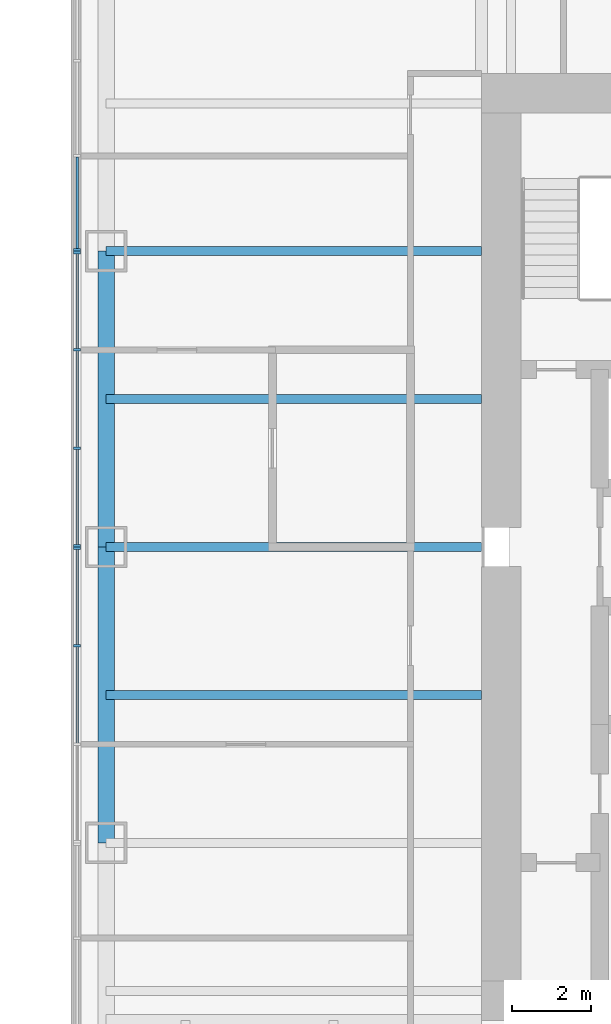
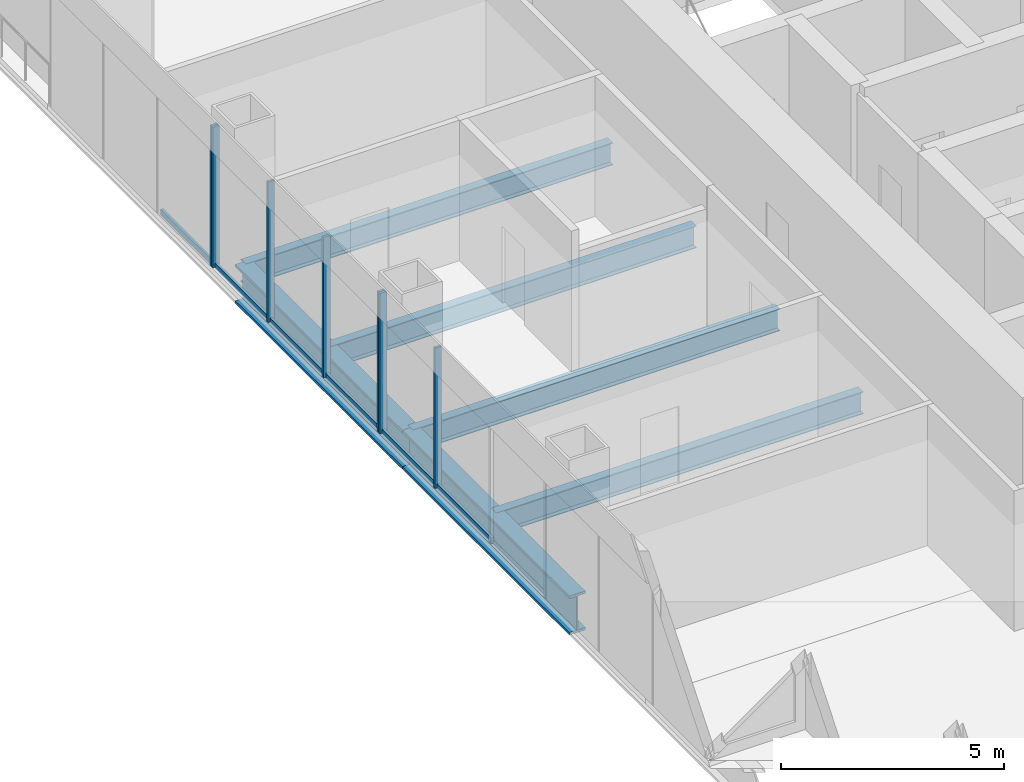
# One storey, part 3 of 13: 13 members, 6 beams, 3 elements without a shape of their own.
"""IFC4 building model written with IfcOpenShell, lengths in metres."""

from ifc_helpers import new_model, si_unit, direction, frame, origin, origin_2d, place, context, subcontext, project, spatial, rectangle, i_section, extrude, material, material_profile, profile_set, type_object, element, aggregate, save


model = new_model("IFC4")

# Units and contexts
model_context = context("Model", 3, precision=1e-05, world=origin(), true_north=direction((0.0, 1.0)))
body_context = subcontext(model_context, "Body", "Model", "MODEL_VIEW")
ifc_project = project(units=[si_unit("LENGTHUNIT", "METRE"), si_unit("AREAUNIT", "SQUARE_METRE"), si_unit("VOLUMEUNIT", "CUBIC_METRE"), si_unit("PLANEANGLEUNIT", "RADIAN"), si_unit("MASSUNIT", "GRAM", prefix="KILO")], contexts=[model_context])

# Site, building, storey
site_placement = place(None, origin())
site = spatial("IfcSite", under=ifc_project, at=site_placement, CompositionType="ELEMENT")
building_placement = place(site_placement, origin())
building = spatial("IfcBuilding", under=site, at=building_placement, Name="Tarangal Relay Tower", CompositionType="ELEMENT")
storey_placement = place(building_placement, frame((0.0, 0.0, 185.89990234375)))
storey = spatial("IfcBuildingStorey", under=building, at=storey_placement, Name="L38", CompositionType="ELEMENT", Elevation=185.89990234375)

# Beams
ifc_material_1 = material(Name="Steel ASTM A992", Category="steel")
ifc_material_profile_1 = material_profile(ifc_material_1, i_section(OverallWidth=0.41650390625, OverallDepth=1.0693359375, WebThickness=0.0390625, FlangeThickness=0.070068359375, at=origin_2d()), Name="W40X503")
ifc_profile_set_1 = profile_set([ifc_material_profile_1], Name="Steel ASTM A992")
beam_type_1 = type_object("IfcBeamType", Name="Edge girder W40X503", PredefinedType="SPANDREL", material=ifc_profile_set_1)
for number, where, z_axis, x_axis, name in (
    (1, (-21.514892578125, -7.5, -0.6845703125), (0.0, 1.0, 0.0), (-1.0, 0.0, 0.0), "Edge girder EG8 W L38"),
    (2, (-21.514892578125, 0.0, -0.6845703125), (0.0, 1.0, 0.0), (-1.0, 0.0, 0.0), "Edge girder EG8 W L38"),
):
    element("IfcBeam", number, at=place(storey_placement, frame(where, z_axis=z_axis, x_axis=x_axis)), inside=storey, type_object=beam_type_1, Name=name, PredefinedType="SPANDREL", context=body_context, shape_type="SweptSolid", body=[
        extrude(i_section(OverallWidth=0.41650390625, OverallDepth=1.0693359375, WebThickness=0.0390625, FlangeThickness=0.070068359375, at=origin_2d()), origin(), (0.0, 0.0, 1.0), 7.5),
    ])
ifc_material_profile_2 = material_profile(ifc_material_1, i_section(OverallWidth=0.22900390625, OverallDepth=0.612060546875, WebThickness=0.011962890625, FlangeThickness=0.01953125, at=origin_2d()), Name="W24X84")
ifc_profile_set_2 = profile_set([ifc_material_profile_2], Name="Steel ASTM A992")
beam_type_2 = type_object("IfcBeamType", Name="Floor beam W24X84", PredefinedType="BEAM", material=ifc_profile_set_2)
for number, where, z_axis, x_axis, name in (
    (3, (-12.0, -3.75, -0.455810546875), (-1.0, 0.0, 0.0), (0.0, -1.0, 0.0), "Floor beam RB12 W L38"),
    (4, (-12.0, 0.0, -0.455810546875), (-1.0, 0.0, 0.0), (0.0, -1.0, 0.0), "Floor beam RB12 W L38"),
    (5, (-12.0, 3.75, -0.455810546875), (-1.0, 0.0, 0.0), (0.0, -1.0, 0.0), "Floor beam RB12 W L38"),
    (6, (-12.0, 7.5, -0.455810546875), (-1.0, 0.0, 0.0), (0.0, -1.0, 0.0), "Floor beam RB12 W L38"),
):
    element("IfcBeam", number, at=place(storey_placement, frame(where, z_axis=z_axis, x_axis=x_axis)), inside=storey, type_object=beam_type_2, Name=name, PredefinedType="BEAM", context=body_context, shape_type="SweptSolid", body=[
        extrude(i_section(OverallWidth=0.22900390625, OverallDepth=0.612060546875, WebThickness=0.011962890625, FlangeThickness=0.01953125, at=origin_2d()), origin(), (0.0, 0.0, 1.0), 9.514892578125),
    ])

# Curtain wall, members
ifc_material_2 = material(Name="Unitised curtain wall, dark glass and black aluminium", Category="aluminium")
curtain_wall_type_1 = type_object("IfcCurtainWallType", Name="Curtain wall CW-A", PredefinedType="USERDEFINED", material=ifc_material_2)
curtain_wall_1_placement = place(storey_placement, origin())
curtain_wall_1 = element("IfcCurtainWall", 7, at=curtain_wall_1_placement, inside=storey, type_object=curtain_wall_type_1, Name="Curtain wall CW-A W facade L38", ObjectType="UNITISED CURTAIN WALL", PredefinedType="USERDEFINED")
ifc_material_3 = material(Name="Black anodised aluminium mullion", Category="aluminium")
ifc_material_profile_3 = material_profile(ifc_material_3, rectangle(XDim=0.175048828125, YDim=0.06494140625, at=origin_2d()), Name="CW-AM 65X175")
ifc_profile_set_3 = profile_set([ifc_material_profile_3], Name="Black anodised aluminium mullion")
member_type_1 = type_object("IfcMemberType", Name="Mullion CW-A 65 x 175", PredefinedType="MULLION", material=ifc_profile_set_3)
member_1_placement = place(storey_placement, frame((-22.25, -2.5, 0.0), z_axis=(0.0, 0.0, 1.0), x_axis=(-1.0, 0.0, 0.0)))
member_1 = element("IfcMember", 8, at=member_1_placement, type_object=member_type_1, Name="CW-A mullion 3", PredefinedType="MULLION", context=body_context, shape_type="SweptSolid", body=[
    extrude(rectangle(XDim=0.175048828125, YDim=0.06494140625, at=origin_2d()), origin(), (0.0, 0.0, 1.0), 3.85009765625),
])
member_2_placement = place(storey_placement, frame((-22.25, -0.032470703125, 0.0), z_axis=(0.0, 0.0, 1.0), x_axis=(-1.0, 0.0, 0.0)))
member_2 = element("IfcMember", 9, at=member_2_placement, type_object=member_type_1, Name="CW-A mullion 4", PredefinedType="MULLION", context=body_context, shape_type="SweptSolid", body=[
    extrude(rectangle(XDim=0.175048828125, YDim=0.06494140625, at=origin_2d()), origin(), (0.0, 0.0, 1.0), 3.85009765625),
])

curtain_wall_2_placement = place(storey_placement, origin())
curtain_wall_2 = element("IfcCurtainWall", 10, at=curtain_wall_2_placement, inside=storey, type_object=curtain_wall_type_1, Name="Curtain wall CW-A W facade L38", ObjectType="UNITISED CURTAIN WALL", PredefinedType="USERDEFINED")
member_3_placement = place(storey_placement, frame((-22.25, 0.032470703125, 0.0), z_axis=(0.0, 0.0, 1.0), x_axis=(-1.0, 0.0, 0.0)))
member_3 = element("IfcMember", 11, at=member_3_placement, type_object=member_type_1, Name="CW-A mullion 1", PredefinedType="MULLION", context=body_context, shape_type="SweptSolid", body=[
    extrude(rectangle(XDim=0.175048828125, YDim=0.06494140625, at=origin_2d()), origin(), (0.0, 0.0, 1.0), 3.85009765625),
])
member_4_placement = place(storey_placement, frame((-22.25, 2.5, 0.0), z_axis=(0.0, 0.0, 1.0), x_axis=(-1.0, 0.0, 0.0)))
member_4 = element("IfcMember", 12, at=member_4_placement, type_object=member_type_1, Name="CW-A mullion 2", PredefinedType="MULLION", context=body_context, shape_type="SweptSolid", body=[
    extrude(rectangle(XDim=0.175048828125, YDim=0.06494140625, at=origin_2d()), origin(), (0.0, 0.0, 1.0), 3.85009765625),
])
member_5_placement = place(storey_placement, frame((-22.25, 5.0, 0.0), z_axis=(0.0, 0.0, 1.0), x_axis=(-1.0, 0.0, 0.0)))
member_5 = element("IfcMember", 13, at=member_5_placement, type_object=member_type_1, Name="CW-A mullion 3", PredefinedType="MULLION", context=body_context, shape_type="SweptSolid", body=[
    extrude(rectangle(XDim=0.175048828125, YDim=0.06494140625, at=origin_2d()), origin(), (0.0, 0.0, 1.0), 3.85009765625),
])
member_6_placement = place(storey_placement, frame((-22.25, 7.467529296875, 0.0), z_axis=(0.0, 0.0, 1.0), x_axis=(-1.0, 0.0, 0.0)))
member_6 = element("IfcMember", 14, at=member_6_placement, type_object=member_type_1, Name="CW-A mullion 4", PredefinedType="MULLION", context=body_context, shape_type="SweptSolid", body=[
    extrude(rectangle(XDim=0.175048828125, YDim=0.06494140625, at=origin_2d()), origin(), (0.0, 0.0, 1.0), 3.85009765625),
])

# Curtain wall, member
ifc_material_4 = material(Name="Unitised curtain wall frame, black aluminium, with metal clad infill walls", Category="aluminium")
curtain_wall_type_2 = type_object("IfcCurtainWallType", Name="Curtain wall CW-AO", PredefinedType="USERDEFINED", material=ifc_material_4)
curtain_wall_3_placement = place(storey_placement, origin())
curtain_wall_3 = element("IfcCurtainWall", 15, at=curtain_wall_3_placement, inside=storey, type_object=curtain_wall_type_2, Name="Curtain wall CW-AO W facade L38", ObjectType="UNITISED CURTAIN WALL", PredefinedType="USERDEFINED")
ifc_material_profile_4 = material_profile(ifc_material_3, rectangle(XDim=0.175048828125, YDim=0.06494140625, at=origin_2d()), Name="CW-AOM 65X175")
ifc_profile_set_4 = profile_set([ifc_material_profile_4], Name="Black anodised aluminium mullion")
member_type_2 = type_object("IfcMemberType", Name="Mullion CW-AO 65 x 175", PredefinedType="MULLION", material=ifc_profile_set_4)
member_7_placement = place(storey_placement, frame((-22.25, 7.532470703125, 0.0), z_axis=(0.0, 0.0, 1.0), x_axis=(-1.0, 0.0, 0.0)))
member_7 = element("IfcMember", 16, at=member_7_placement, type_object=member_type_2, Name="CW-AO mullion 1", PredefinedType="MULLION", context=body_context, shape_type="SweptSolid", body=[
    extrude(rectangle(XDim=0.175048828125, YDim=0.06494140625, at=origin_2d()), origin(), (0.0, 0.0, 1.0), 3.85009765625),
])

# Member
ifc_material_5 = material(Name="Black anodised aluminium transom", Category="aluminium")
ifc_material_profile_5 = material_profile(ifc_material_5, rectangle(XDim=0.06494140625, YDim=0.14990234375, at=origin_2d()), Name="CW-AT 65X150")
ifc_profile_set_5 = profile_set([ifc_material_profile_5], Name="Black anodised aluminium transom")
member_type_3 = type_object("IfcMemberType", Name="Transom CW-A 65 x 150", PredefinedType="USERDEFINED", material=ifc_profile_set_5)
member_8_placement = place(storey_placement, frame((-22.25, -4.967529296875, 0.03271484375), z_axis=(0.0, 1.0, 0.0), x_axis=(-1.0, 0.0, 0.0)))
member_8 = element("IfcMember", 17, at=member_8_placement, type_object=member_type_3, Name="CW-A transom 2.1", ObjectType="TRANSOM", PredefinedType="USERDEFINED", context=body_context, shape_type="SweptSolid", body=[
    extrude(rectangle(XDim=0.06494140625, YDim=0.14990234375, at=origin_2d()), origin(), (0.0, 0.0, 1.0), 2.43505859375),
])

member_9_placement = place(storey_placement, frame((-22.25, -2.467529296875, 0.03271484375), z_axis=(0.0, 1.0, 0.0), x_axis=(-1.0, 0.0, 0.0)))
member_9 = element("IfcMember", 18, at=member_9_placement, type_object=member_type_3, Name="CW-A transom 3.1", ObjectType="TRANSOM", PredefinedType="USERDEFINED", context=body_context, shape_type="SweptSolid", body=[
    extrude(rectangle(XDim=0.06494140625, YDim=0.14990234375, at=origin_2d()), origin(), (0.0, 0.0, 1.0), 2.402587890625),
])

aggregate(curtain_wall_1, [member_1, member_2, member_8, member_9])

member_10_placement = place(storey_placement, frame((-22.25, 0.06494140625, 0.03271484375), z_axis=(0.0, 1.0, 0.0), x_axis=(-1.0, 0.0, 0.0)))
member_10 = element("IfcMember", 19, at=member_10_placement, type_object=member_type_3, Name="CW-A transom 1.1", ObjectType="TRANSOM", PredefinedType="USERDEFINED", context=body_context, shape_type="SweptSolid", body=[
    extrude(rectangle(XDim=0.06494140625, YDim=0.14990234375, at=origin_2d()), origin(), (0.0, 0.0, 1.0), 2.402587890625),
])

member_11_placement = place(storey_placement, frame((-22.25, 2.532470703125, 0.03271484375), z_axis=(0.0, 1.0, 0.0), x_axis=(-1.0, 0.0, 0.0)))
member_11 = element("IfcMember", 20, at=member_11_placement, type_object=member_type_3, Name="CW-A transom 2.1", ObjectType="TRANSOM", PredefinedType="USERDEFINED", context=body_context, shape_type="SweptSolid", body=[
    extrude(rectangle(XDim=0.06494140625, YDim=0.14990234375, at=origin_2d()), origin(), (0.0, 0.0, 1.0), 2.43505859375),
])

member_12_placement = place(storey_placement, frame((-22.25, 5.032470703125, 0.03271484375), z_axis=(0.0, 1.0, 0.0), x_axis=(-1.0, 0.0, 0.0)))
member_12 = element("IfcMember", 21, at=member_12_placement, type_object=member_type_3, Name="CW-A transom 3.1", ObjectType="TRANSOM", PredefinedType="USERDEFINED", context=body_context, shape_type="SweptSolid", body=[
    extrude(rectangle(XDim=0.06494140625, YDim=0.14990234375, at=origin_2d()), origin(), (0.0, 0.0, 1.0), 2.402587890625),
])

aggregate(curtain_wall_2, [member_3, member_4, member_5, member_6, member_10, member_11, member_12])

ifc_material_profile_6 = material_profile(ifc_material_5, rectangle(XDim=0.06494140625, YDim=0.14990234375, at=origin_2d()), Name="CW-AOT 65X150")
ifc_profile_set_6 = profile_set([ifc_material_profile_6], Name="Black anodised aluminium transom")
member_type_4 = type_object("IfcMemberType", Name="Transom CW-AO 65 x 150", PredefinedType="USERDEFINED", material=ifc_profile_set_6)
member_13_placement = place(storey_placement, frame((-22.25, 7.56494140625, 0.03271484375), z_axis=(0.0, 1.0, 0.0), x_axis=(-1.0, 0.0, 0.0)))
member_13 = element("IfcMember", 22, at=member_13_placement, type_object=member_type_4, Name="CW-AO transom 1.1", ObjectType="TRANSOM", PredefinedType="USERDEFINED", context=body_context, shape_type="SweptSolid", body=[
    extrude(rectangle(XDim=0.06494140625, YDim=0.14990234375, at=origin_2d()), origin(), (0.0, 0.0, 1.0), 2.3193359375),
])

aggregate(curtain_wall_3, [member_7, member_13])

save(model, "model.ifc")
